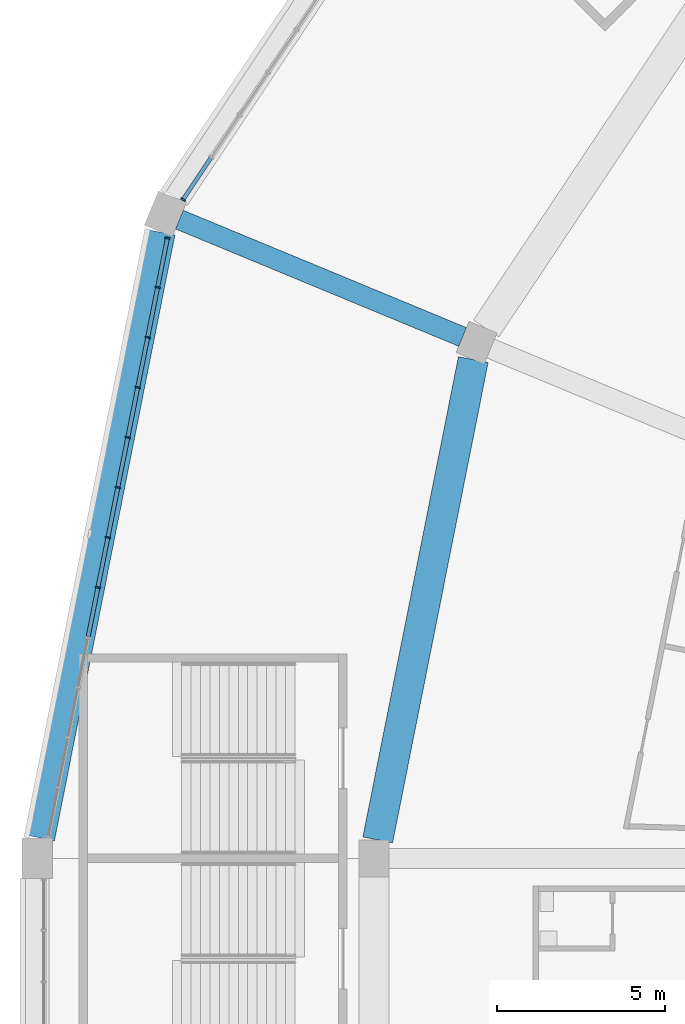
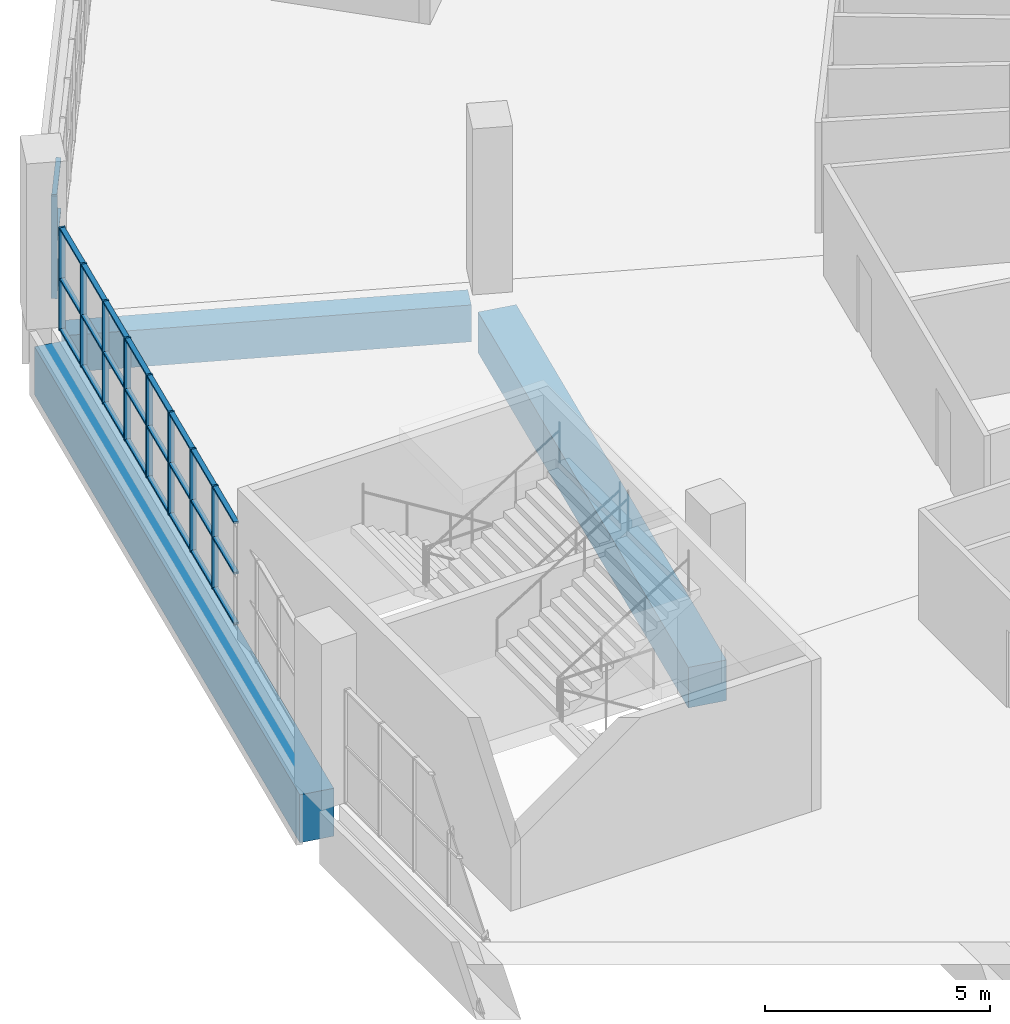
# One storey, part 36 of 199: 36 members, 3 beams, 2 elements without a shape of their own.
"""IFC4 building model written with IfcOpenShell, lengths in metres."""

from ifc_helpers import new_model, si_unit, direction, frame, origin, origin_2d, place, context, subcontext, project, spatial, rectangle, extrude, material, material_profile, profile_set, type_object, element, aggregate, save


model = new_model("IFC4")

# Units and contexts
model_context = context("Model", 3, precision=1e-05, world=origin(), true_north=direction((0.0, 1.0)))
body_context = subcontext(model_context, "Body", "Model", "MODEL_VIEW")
ifc_project = project(units=[si_unit("LENGTHUNIT", "METRE"), si_unit("AREAUNIT", "SQUARE_METRE"), si_unit("VOLUMEUNIT", "CUBIC_METRE"), si_unit("PLANEANGLEUNIT", "RADIAN"), si_unit("MASSUNIT", "GRAM", prefix="KILO")], contexts=[model_context])

# Site, building, storey
site_placement = place(None, origin())
site = spatial("IfcSite", under=ifc_project, at=site_placement, CompositionType="ELEMENT")
building_placement = place(site_placement, origin())
building = spatial("IfcBuilding", under=site, at=building_placement, Name="Ogive Plaza Stadium", CompositionType="ELEMENT")
storey_placement = place(building_placement, frame((0.0, 0.0, 9.0)))
storey = spatial("IfcBuildingStorey", under=building, at=storey_placement, Name="L02", CompositionType="ELEMENT", Elevation=9.0)

# Curtain wall, members
ifc_material_1 = material(Name="Bronze-anodised aluminium with laminated glass", Category="aluminium")
curtain_wall_type = type_object("IfcCurtainWallType", Name="Lancet curtain wall", PredefinedType="NOTDEFINED", material=ifc_material_1)
curtain_wall_1_placement = place(storey_placement, origin())
curtain_wall_1 = element("IfcCurtainWall", 1, at=curtain_wall_1_placement, inside=storey, type_object=curtain_wall_type, Name="CURTAIN WALL B28 L02", PredefinedType="NOTDEFINED")
ifc_material_2 = material(Name="Bronze-anodised aluminium", Category="aluminium")
ifc_material_profile_1 = material_profile(ifc_material_2, rectangle(XDim=0.14990234375, YDim=0.050048828125, at=origin_2d()), Name="AL 150x50")
ifc_profile_set_1 = profile_set([ifc_material_profile_1], Name="Bronze-anodised aluminium")
member_type_1 = type_object("IfcMemberType", Name="Curtain wall mullion 50x150", PredefinedType="MULLION", material=ifc_profile_set_1)
member_1_placement = place(storey_placement, frame((-82.1962890625, 60.543212890625, 0.0), z_axis=(0.0, 0.0, 1.0), x_axis=(-0.980785280403, 0.195090322016, 0.0)))
member_1 = element("IfcMember", 2, at=member_1_placement, type_object=member_type_1, Name="CW-B28-L02 mullion 6", PredefinedType="MULLION", context=body_context, shape_type="SweptSolid", body=[
    extrude(rectangle(XDim=0.14990234375, YDim=0.050048828125, at=origin_2d()), origin(), (0.0, 0.0, 1.0), 2.7900390625),
])
member_2_placement = place(storey_placement, frame((-81.90087890625, 62.028076171875, 0.0), z_axis=(0.0, 0.0, 1.0), x_axis=(-0.980785280403, 0.195090322016, 0.0)))
member_2 = element("IfcMember", 3, at=member_2_placement, type_object=member_type_1, Name="CW-B28-L02 mullion 7", PredefinedType="MULLION", context=body_context, shape_type="SweptSolid", body=[
    extrude(rectangle(XDim=0.14990234375, YDim=0.050048828125, at=origin_2d()), origin(), (0.0, 0.0, 1.0), 2.7900390625),
])
member_3_placement = place(storey_placement, frame((-81.60546875, 63.512939453125, 0.0), z_axis=(0.0, 0.0, 1.0), x_axis=(-0.980785280403, 0.195090322016, 0.0)))
member_3 = element("IfcMember", 4, at=member_3_placement, type_object=member_type_1, Name="CW-B28-L02 mullion 8", PredefinedType="MULLION", context=body_context, shape_type="SweptSolid", body=[
    extrude(rectangle(XDim=0.14990234375, YDim=0.050048828125, at=origin_2d()), origin(), (0.0, 0.0, 1.0), 2.7900390625),
])
member_4_placement = place(storey_placement, frame((-81.31005859375, 64.99755859375, 0.0), z_axis=(0.0, 0.0, 1.0), x_axis=(-0.980785280403, 0.195090322016, 0.0)))
member_4 = element("IfcMember", 5, at=member_4_placement, type_object=member_type_1, Name="CW-B28-L02 mullion 9", PredefinedType="MULLION", context=body_context, shape_type="SweptSolid", body=[
    extrude(rectangle(XDim=0.14990234375, YDim=0.050048828125, at=origin_2d()), origin(), (0.0, 0.0, 1.0), 2.7900390625),
])
member_5_placement = place(storey_placement, frame((-81.014892578125, 66.482421875, 0.0), z_axis=(0.0, 0.0, 1.0), x_axis=(-0.980785280403, 0.195090322016, 0.0)))
member_5 = element("IfcMember", 6, at=member_5_placement, type_object=member_type_1, Name="CW-B28-L02 mullion 10", PredefinedType="MULLION", context=body_context, shape_type="SweptSolid", body=[
    extrude(rectangle(XDim=0.14990234375, YDim=0.050048828125, at=origin_2d()), origin(), (0.0, 0.0, 1.0), 2.7900390625),
])
member_6_placement = place(storey_placement, frame((-80.719482421875, 67.967041015625, 0.0), z_axis=(0.0, 0.0, 1.0), x_axis=(-0.980785280403, 0.195090322016, 0.0)))
member_6 = element("IfcMember", 7, at=member_6_placement, type_object=member_type_1, Name="CW-B28-L02 mullion 11", PredefinedType="MULLION", context=body_context, shape_type="SweptSolid", body=[
    extrude(rectangle(XDim=0.14990234375, YDim=0.050048828125, at=origin_2d()), origin(), (0.0, 0.0, 1.0), 2.7900390625),
])
member_7_placement = place(storey_placement, frame((-80.424072265625, 69.451904296875, 0.0), z_axis=(0.0, 0.0, 1.0), x_axis=(-0.980785280403, 0.195090322016, 0.0)))
member_7 = element("IfcMember", 8, at=member_7_placement, type_object=member_type_1, Name="CW-B28-L02 mullion 12", PredefinedType="MULLION", context=body_context, shape_type="SweptSolid", body=[
    extrude(rectangle(XDim=0.14990234375, YDim=0.050048828125, at=origin_2d()), origin(), (0.0, 0.0, 1.0), 2.7900390625),
])
member_8_placement = place(storey_placement, frame((-80.1337890625, 70.912109375, 0.0), z_axis=(0.0, 0.0, 1.0), x_axis=(-0.980785280403, 0.195090322016, 0.0)))
member_8 = element("IfcMember", 9, at=member_8_placement, type_object=member_type_1, Name="CW-B28-L02 mullion 13", PredefinedType="MULLION", context=body_context, shape_type="SweptSolid", body=[
    extrude(rectangle(XDim=0.14990234375, YDim=0.050048828125, at=origin_2d()), origin(), (0.0, 0.0, 1.0), 2.7900390625),
])

# Curtain wall, member
curtain_wall_2_placement = place(storey_placement, origin())
curtain_wall_2 = element("IfcCurtainWall", 10, at=curtain_wall_2_placement, inside=storey, type_object=curtain_wall_type, Name="CURTAIN WALL B29 L02", PredefinedType="NOTDEFINED")
member_9_placement = place(storey_placement, frame((-79.669189453125, 72.059814453125, 0.0), z_axis=(0.0, 0.0, 1.0), x_axis=(-0.831469612303, 0.55557023302, 0.0)))
member_9 = element("IfcMember", 11, at=member_9_placement, type_object=member_type_1, Name="CW-B29-L02 mullion 1", PredefinedType="MULLION", context=body_context, shape_type="SweptSolid", body=[
    extrude(rectangle(XDim=0.14990234375, YDim=0.050048828125, at=origin_2d()), origin(), (0.0, 0.0, 1.0), 2.7900390625),
])

# Member
ifc_material_3 = material(Name="Bronze-anodised aluminium", Category="aluminium")
ifc_material_profile_2 = material_profile(ifc_material_3, rectangle(XDim=0.1201171875, YDim=0.050048828125, at=origin_2d()), Name="AL 120x50")
ifc_profile_set_2 = profile_set([ifc_material_profile_2], Name="Bronze-anodised aluminium")
member_type_2 = type_object("IfcMemberType", Name="Curtain wall transom 50x120", PredefinedType="USERDEFINED", material=ifc_profile_set_2)
member_10_placement = place(storey_placement, frame((-82.486572265625, 59.0830078125, 0.02490234375), z_axis=(0.195121823859, 0.980779013771, 0.0), x_axis=(-0.980779013771, 0.195121823859, 0.0)))
member_10 = element("IfcMember", 12, at=member_10_placement, type_object=member_type_2, Name="CW-B28-L02 transom 5.1", ObjectType="TRANSOM", PredefinedType="USERDEFINED", context=body_context, shape_type="SweptSolid", body=[
    extrude(rectangle(XDim=0.1201171875, YDim=0.050048828125, at=origin_2d()), origin(), (0.0, 0.0, 1.0), 1.4638671875),
])

member_11_placement = place(storey_placement, frame((-82.486572265625, 59.0830078125, 1.39501953125), z_axis=(0.195121823859, 0.980779013771, 0.0), x_axis=(-0.980779013771, 0.195121823859, 0.0)))
member_11 = element("IfcMember", 13, at=member_11_placement, type_object=member_type_2, Name="CW-B28-L02 transom 5.2", ObjectType="TRANSOM", PredefinedType="USERDEFINED", context=body_context, shape_type="SweptSolid", body=[
    extrude(rectangle(XDim=0.1201171875, YDim=0.050048828125, at=origin_2d()), origin(), (0.0, 0.0, 1.0), 1.4638671875),
])

member_12_placement = place(storey_placement, frame((-82.486572265625, 59.0830078125, 2.764892578125), z_axis=(0.195121823859, 0.980779013771, 0.0), x_axis=(-0.980779013771, 0.195121823859, 0.0)))
member_12 = element("IfcMember", 14, at=member_12_placement, type_object=member_type_2, Name="CW-B28-L02 transom 5.3", ObjectType="TRANSOM", PredefinedType="USERDEFINED", context=body_context, shape_type="SweptSolid", body=[
    extrude(rectangle(XDim=0.1201171875, YDim=0.050048828125, at=origin_2d()), origin(), (0.0, 0.0, 1.0), 1.4638671875),
])

member_13_placement = place(storey_placement, frame((-82.19140625, 60.56787109375, 0.02490234375), z_axis=(0.195121823859, 0.980779013771, 0.0), x_axis=(-0.980779013771, 0.195121823859, 0.0)))
member_13 = element("IfcMember", 15, at=member_13_placement, type_object=member_type_2, Name="CW-B28-L02 transom 6.1", ObjectType="TRANSOM", PredefinedType="USERDEFINED", context=body_context, shape_type="SweptSolid", body=[
    extrude(rectangle(XDim=0.1201171875, YDim=0.050048828125, at=origin_2d()), origin(), (0.0, 0.0, 1.0), 1.4638671875),
])

member_14_placement = place(storey_placement, frame((-82.19140625, 60.56787109375, 1.39501953125), z_axis=(0.195121823859, 0.980779013771, 0.0), x_axis=(-0.980779013771, 0.195121823859, 0.0)))
member_14 = element("IfcMember", 16, at=member_14_placement, type_object=member_type_2, Name="CW-B28-L02 transom 6.2", ObjectType="TRANSOM", PredefinedType="USERDEFINED", context=body_context, shape_type="SweptSolid", body=[
    extrude(rectangle(XDim=0.1201171875, YDim=0.050048828125, at=origin_2d()), origin(), (0.0, 0.0, 1.0), 1.4638671875),
])

member_15_placement = place(storey_placement, frame((-82.19140625, 60.56787109375, 2.764892578125), z_axis=(0.195121823859, 0.980779013771, 0.0), x_axis=(-0.980779013771, 0.195121823859, 0.0)))
member_15 = element("IfcMember", 17, at=member_15_placement, type_object=member_type_2, Name="CW-B28-L02 transom 6.3", ObjectType="TRANSOM", PredefinedType="USERDEFINED", context=body_context, shape_type="SweptSolid", body=[
    extrude(rectangle(XDim=0.1201171875, YDim=0.050048828125, at=origin_2d()), origin(), (0.0, 0.0, 1.0), 1.4638671875),
])

member_16_placement = place(storey_placement, frame((-81.89599609375, 62.052490234375, 0.02490234375), z_axis=(0.195121823859, 0.980779013771, 0.0), x_axis=(-0.980779013771, 0.195121823859, 0.0)))
member_16 = element("IfcMember", 18, at=member_16_placement, type_object=member_type_2, Name="CW-B28-L02 transom 7.1", ObjectType="TRANSOM", PredefinedType="USERDEFINED", context=body_context, shape_type="SweptSolid", body=[
    extrude(rectangle(XDim=0.1201171875, YDim=0.050048828125, at=origin_2d()), origin(), (0.0, 0.0, 1.0), 1.4638671875),
])

member_17_placement = place(storey_placement, frame((-81.89599609375, 62.052490234375, 1.39501953125), z_axis=(0.195121823859, 0.980779013771, 0.0), x_axis=(-0.980779013771, 0.195121823859, 0.0)))
member_17 = element("IfcMember", 19, at=member_17_placement, type_object=member_type_2, Name="CW-B28-L02 transom 7.2", ObjectType="TRANSOM", PredefinedType="USERDEFINED", context=body_context, shape_type="SweptSolid", body=[
    extrude(rectangle(XDim=0.1201171875, YDim=0.050048828125, at=origin_2d()), origin(), (0.0, 0.0, 1.0), 1.4638671875),
])

member_18_placement = place(storey_placement, frame((-81.89599609375, 62.052490234375, 2.764892578125), z_axis=(0.195121823859, 0.980779013771, 0.0), x_axis=(-0.980779013771, 0.195121823859, 0.0)))
member_18 = element("IfcMember", 20, at=member_18_placement, type_object=member_type_2, Name="CW-B28-L02 transom 7.3", ObjectType="TRANSOM", PredefinedType="USERDEFINED", context=body_context, shape_type="SweptSolid", body=[
    extrude(rectangle(XDim=0.1201171875, YDim=0.050048828125, at=origin_2d()), origin(), (0.0, 0.0, 1.0), 1.4638671875),
])

member_19_placement = place(storey_placement, frame((-81.6005859375, 63.537353515625, 0.02490234375), z_axis=(0.195121823859, 0.980779013771, 0.0), x_axis=(-0.980779013771, 0.195121823859, 0.0)))
member_19 = element("IfcMember", 21, at=member_19_placement, type_object=member_type_2, Name="CW-B28-L02 transom 8.1", ObjectType="TRANSOM", PredefinedType="USERDEFINED", context=body_context, shape_type="SweptSolid", body=[
    extrude(rectangle(XDim=0.1201171875, YDim=0.050048828125, at=origin_2d()), origin(), (0.0, 0.0, 1.0), 1.4638671875),
])

member_20_placement = place(storey_placement, frame((-81.6005859375, 63.537353515625, 1.39501953125), z_axis=(0.195121823859, 0.980779013771, 0.0), x_axis=(-0.980779013771, 0.195121823859, 0.0)))
member_20 = element("IfcMember", 22, at=member_20_placement, type_object=member_type_2, Name="CW-B28-L02 transom 8.2", ObjectType="TRANSOM", PredefinedType="USERDEFINED", context=body_context, shape_type="SweptSolid", body=[
    extrude(rectangle(XDim=0.1201171875, YDim=0.050048828125, at=origin_2d()), origin(), (0.0, 0.0, 1.0), 1.4638671875),
])

member_21_placement = place(storey_placement, frame((-81.6005859375, 63.537353515625, 2.764892578125), z_axis=(0.195121823859, 0.980779013771, 0.0), x_axis=(-0.980779013771, 0.195121823859, 0.0)))
member_21 = element("IfcMember", 23, at=member_21_placement, type_object=member_type_2, Name="CW-B28-L02 transom 8.3", ObjectType="TRANSOM", PredefinedType="USERDEFINED", context=body_context, shape_type="SweptSolid", body=[
    extrude(rectangle(XDim=0.1201171875, YDim=0.050048828125, at=origin_2d()), origin(), (0.0, 0.0, 1.0), 1.4638671875),
])

member_22_placement = place(storey_placement, frame((-81.30517578125, 65.022216796875, 0.02490234375), z_axis=(0.194993290732, 0.980804576136, 0.0), x_axis=(-0.980804576136, 0.194993290732, 0.0)))
member_22 = element("IfcMember", 24, at=member_22_placement, type_object=member_type_2, Name="CW-B28-L02 transom 9.1", ObjectType="TRANSOM", PredefinedType="USERDEFINED", context=body_context, shape_type="SweptSolid", body=[
    extrude(rectangle(XDim=0.1201171875, YDim=0.050048828125, at=origin_2d()), origin(), (0.0, 0.0, 1.0), 1.463623046875),
])

member_23_placement = place(storey_placement, frame((-81.30517578125, 65.022216796875, 1.39501953125), z_axis=(0.194993290732, 0.980804576136, 0.0), x_axis=(-0.980804576136, 0.194993290732, 0.0)))
member_23 = element("IfcMember", 25, at=member_23_placement, type_object=member_type_2, Name="CW-B28-L02 transom 9.2", ObjectType="TRANSOM", PredefinedType="USERDEFINED", context=body_context, shape_type="SweptSolid", body=[
    extrude(rectangle(XDim=0.1201171875, YDim=0.050048828125, at=origin_2d()), origin(), (0.0, 0.0, 1.0), 1.463623046875),
])

member_24_placement = place(storey_placement, frame((-81.30517578125, 65.022216796875, 2.764892578125), z_axis=(0.194993290732, 0.980804576136, 0.0), x_axis=(-0.980804576136, 0.194993290732, 0.0)))
member_24 = element("IfcMember", 26, at=member_24_placement, type_object=member_type_2, Name="CW-B28-L02 transom 9.3", ObjectType="TRANSOM", PredefinedType="USERDEFINED", context=body_context, shape_type="SweptSolid", body=[
    extrude(rectangle(XDim=0.1201171875, YDim=0.050048828125, at=origin_2d()), origin(), (0.0, 0.0, 1.0), 1.463623046875),
])

member_25_placement = place(storey_placement, frame((-81.010009765625, 66.5068359375, 0.02490234375), z_axis=(0.195121823859, 0.980779013771, 0.0), x_axis=(-0.980779013771, 0.195121823859, 0.0)))
member_25 = element("IfcMember", 27, at=member_25_placement, type_object=member_type_2, Name="CW-B28-L02 transom 10.1", ObjectType="TRANSOM", PredefinedType="USERDEFINED", context=body_context, shape_type="SweptSolid", body=[
    extrude(rectangle(XDim=0.1201171875, YDim=0.050048828125, at=origin_2d()), origin(), (0.0, 0.0, 1.0), 1.4638671875),
])

member_26_placement = place(storey_placement, frame((-81.010009765625, 66.5068359375, 1.39501953125), z_axis=(0.195121823859, 0.980779013771, 0.0), x_axis=(-0.980779013771, 0.195121823859, 0.0)))
member_26 = element("IfcMember", 28, at=member_26_placement, type_object=member_type_2, Name="CW-B28-L02 transom 10.2", ObjectType="TRANSOM", PredefinedType="USERDEFINED", context=body_context, shape_type="SweptSolid", body=[
    extrude(rectangle(XDim=0.1201171875, YDim=0.050048828125, at=origin_2d()), origin(), (0.0, 0.0, 1.0), 1.4638671875),
])

member_27_placement = place(storey_placement, frame((-81.010009765625, 66.5068359375, 2.764892578125), z_axis=(0.195121823859, 0.980779013771, 0.0), x_axis=(-0.980779013771, 0.195121823859, 0.0)))
member_27 = element("IfcMember", 29, at=member_27_placement, type_object=member_type_2, Name="CW-B28-L02 transom 10.3", ObjectType="TRANSOM", PredefinedType="USERDEFINED", context=body_context, shape_type="SweptSolid", body=[
    extrude(rectangle(XDim=0.1201171875, YDim=0.050048828125, at=origin_2d()), origin(), (0.0, 0.0, 1.0), 1.4638671875),
])

member_28_placement = place(storey_placement, frame((-80.714599609375, 67.99169921875, 0.02490234375), z_axis=(0.195153744134, 0.980772662828, 0.0), x_axis=(-0.980772662828, 0.195153744134, 0.0)))
member_28 = element("IfcMember", 30, at=member_28_placement, type_object=member_type_2, Name="CW-B28-L02 transom 11.1", ObjectType="TRANSOM", PredefinedType="USERDEFINED", context=body_context, shape_type="SweptSolid", body=[
    extrude(rectangle(XDim=0.1201171875, YDim=0.050048828125, at=origin_2d()), origin(), (0.0, 0.0, 1.0), 1.463623046875),
])

member_29_placement = place(storey_placement, frame((-80.714599609375, 67.99169921875, 1.39501953125), z_axis=(0.195153744134, 0.980772662828, 0.0), x_axis=(-0.980772662828, 0.195153744134, 0.0)))
member_29 = element("IfcMember", 31, at=member_29_placement, type_object=member_type_2, Name="CW-B28-L02 transom 11.2", ObjectType="TRANSOM", PredefinedType="USERDEFINED", context=body_context, shape_type="SweptSolid", body=[
    extrude(rectangle(XDim=0.1201171875, YDim=0.050048828125, at=origin_2d()), origin(), (0.0, 0.0, 1.0), 1.463623046875),
])

member_30_placement = place(storey_placement, frame((-80.714599609375, 67.99169921875, 2.764892578125), z_axis=(0.195153744134, 0.980772662828, 0.0), x_axis=(-0.980772662828, 0.195153744134, 0.0)))
member_30 = element("IfcMember", 32, at=member_30_placement, type_object=member_type_2, Name="CW-B28-L02 transom 11.3", ObjectType="TRANSOM", PredefinedType="USERDEFINED", context=body_context, shape_type="SweptSolid", body=[
    extrude(rectangle(XDim=0.1201171875, YDim=0.050048828125, at=origin_2d()), origin(), (0.0, 0.0, 1.0), 1.463623046875),
])

member_31_placement = place(storey_placement, frame((-80.419189453125, 69.476318359375, 0.02490234375), z_axis=(0.194941412722, 0.980814888552, 0.0), x_axis=(-0.980814888552, 0.194941412722, 0.0)))
member_31 = element("IfcMember", 33, at=member_31_placement, type_object=member_type_2, Name="CW-B28-L02 transom 12.1", ObjectType="TRANSOM", PredefinedType="USERDEFINED", context=body_context, shape_type="SweptSolid", body=[
    extrude(rectangle(XDim=0.1201171875, YDim=0.050048828125, at=origin_2d()), origin(), (0.0, 0.0, 1.0), 1.43896484375),
])

member_32_placement = place(storey_placement, frame((-80.419189453125, 69.476318359375, 1.39501953125), z_axis=(0.194941412722, 0.980814888552, 0.0), x_axis=(-0.980814888552, 0.194941412722, 0.0)))
member_32 = element("IfcMember", 34, at=member_32_placement, type_object=member_type_2, Name="CW-B28-L02 transom 12.2", ObjectType="TRANSOM", PredefinedType="USERDEFINED", context=body_context, shape_type="SweptSolid", body=[
    extrude(rectangle(XDim=0.1201171875, YDim=0.050048828125, at=origin_2d()), origin(), (0.0, 0.0, 1.0), 1.43896484375),
])

member_33_placement = place(storey_placement, frame((-80.419189453125, 69.476318359375, 2.764892578125), z_axis=(0.194941412722, 0.980814888552, 0.0), x_axis=(-0.980814888552, 0.194941412722, 0.0)))
member_33 = element("IfcMember", 35, at=member_33_placement, type_object=member_type_2, Name="CW-B28-L02 transom 12.3", ObjectType="TRANSOM", PredefinedType="USERDEFINED", context=body_context, shape_type="SweptSolid", body=[
    extrude(rectangle(XDim=0.1201171875, YDim=0.050048828125, at=origin_2d()), origin(), (0.0, 0.0, 1.0), 1.43896484375),
])

aggregate(curtain_wall_1, [member_1, member_2, member_3, member_4, member_5, member_6, member_7, member_8, member_10, member_11, member_12, member_13, member_14, member_15, member_16, member_17, member_18, member_19, member_20, member_21, member_22, member_23, member_24, member_25, member_26, member_27, member_28, member_29, member_30, member_31, member_32, member_33])

member_34_placement = place(storey_placement, frame((-79.6552734375, 72.08056640625, 0.02490234375), z_axis=(0.555634077892, 0.831426948977, 0.0), x_axis=(-0.831426948977, 0.555634077892, 0.0)))
member_34 = element("IfcMember", 36, at=member_34_placement, type_object=member_type_2, Name="CW-B29-L02 transom 1.1", ObjectType="TRANSOM", PredefinedType="USERDEFINED", context=body_context, shape_type="SweptSolid", body=[
    extrude(rectangle(XDim=0.1201171875, YDim=0.050048828125, at=origin_2d()), origin(), (0.0, 0.0, 1.0), 1.447265625),
])

member_35_placement = place(storey_placement, frame((-79.6552734375, 72.08056640625, 1.39501953125), z_axis=(0.555634077892, 0.831426948977, 0.0), x_axis=(-0.831426948977, 0.555634077892, 0.0)))
member_35 = element("IfcMember", 37, at=member_35_placement, type_object=member_type_2, Name="CW-B29-L02 transom 1.2", ObjectType="TRANSOM", PredefinedType="USERDEFINED", context=body_context, shape_type="SweptSolid", body=[
    extrude(rectangle(XDim=0.1201171875, YDim=0.050048828125, at=origin_2d()), origin(), (0.0, 0.0, 1.0), 1.447265625),
])

member_36_placement = place(storey_placement, frame((-79.6552734375, 72.08056640625, 2.764892578125), z_axis=(0.555634077892, 0.831426948977, 0.0), x_axis=(-0.831426948977, 0.555634077892, 0.0)))
member_36 = element("IfcMember", 38, at=member_36_placement, type_object=member_type_2, Name="CW-B29-L02 transom 1.3", ObjectType="TRANSOM", PredefinedType="USERDEFINED", context=body_context, shape_type="SweptSolid", body=[
    extrude(rectangle(XDim=0.1201171875, YDim=0.050048828125, at=origin_2d()), origin(), (0.0, 0.0, 1.0), 1.447265625),
])

aggregate(curtain_wall_2, [member_9, member_34, member_35, member_36])

# Beams
ifc_material_4 = material(Name="Concrete C40/50", Category="concrete")
ifc_material_profile_3 = material_profile(ifc_material_4, rectangle(XDim=0.60009765625, YDim=1.0, at=origin_2d()), Name="RC 600x1000")
ifc_profile_set_3 = profile_set([ifc_material_profile_3], Name="Concrete C40/50")
beam_type_1 = type_object("IfcBeamType", Name="RC radial beam 600x1000", PredefinedType="BEAM", material=ifc_profile_set_3)
beam_1_placement = place(storey_placement, frame((-71.370849609375, 67.9794921875, -0.909912109375), z_axis=(-0.923882116707, 0.382677193504, 0.0), x_axis=(-0.382677193504, -0.923882116707, 0.0)))
element("IfcBeam", 39, at=beam_1_placement, inside=storey, type_object=beam_type_1, Name="Radial beam L02 R29 F4F5", PredefinedType="BEAM", context=body_context, shape_type="SweptSolid", body=[
    extrude(rectangle(XDim=0.60009765625, YDim=1.0, at=origin_2d()), origin(), (0.0, 0.0, 1.0), 9.10009765625),
])
ifc_material_5 = material(Name="Concrete C40/50", Category="concrete")
ifc_material_profile_4 = material_profile(ifc_material_5, rectangle(XDim=0.89990234375, YDim=1.10009765625, at=origin_2d()), Name="RC 900x1100")
ifc_profile_set_4 = profile_set([ifc_material_profile_4], Name="Concrete C40/50")
beam_type_2 = type_object("IfcBeamType", Name="RC ring beam 900x1100", PredefinedType="BEAM", material=ifc_profile_set_4)
beam_2_placement = place(storey_placement, frame((-73.890625, 53.050048828125, -0.9599609375), z_axis=(0.195088957992, 0.980785551724, 0.0), x_axis=(-0.980785551724, 0.195088957992, 0.0)))
element("IfcBeam", 40, at=beam_2_placement, inside=storey, type_object=beam_type_2, Name="Ring beam F4 L02 B28", PredefinedType="BEAM", context=body_context, shape_type="SweptSolid", body=[
    extrude(rectangle(XDim=0.89990234375, YDim=1.10009765625, at=origin_2d()), origin(), (0.0, 0.0, 1.0), 14.53662109375),
])
ifc_material_6 = material(Name="Concrete C40/50", Category="concrete")
ifc_material_profile_5 = material_profile(ifc_material_6, rectangle(XDim=0.800048828125, YDim=1.300048828125, at=origin_2d()), Name="RC 800x1300")
ifc_profile_set_5 = profile_set([ifc_material_profile_5], Name="Concrete C40/50")
beam_type_3 = type_object("IfcBeamType", Name="RC spandrel beam 800x1300", PredefinedType="SPANDREL", material=ifc_profile_set_5)
beam_3_placement = place(storey_placement, frame((-83.880615234375, 53.10009765625, -1.06005859375), z_axis=(0.195084152283, 0.980786507619, 0.0), x_axis=(-0.980786507619, 0.195084152283, 0.0)))
element("IfcBeam", 41, at=beam_3_placement, inside=storey, type_object=beam_type_3, Name="Ring beam F5 L02 B28", PredefinedType="SPANDREL", context=body_context, shape_type="SweptSolid", body=[
    extrude(rectangle(XDim=0.800048828125, YDim=1.300048828125, at=origin_2d()), origin(), (0.0, 0.0, 1.0), 18.33642578125),
])

save(model, "model.ifc")
